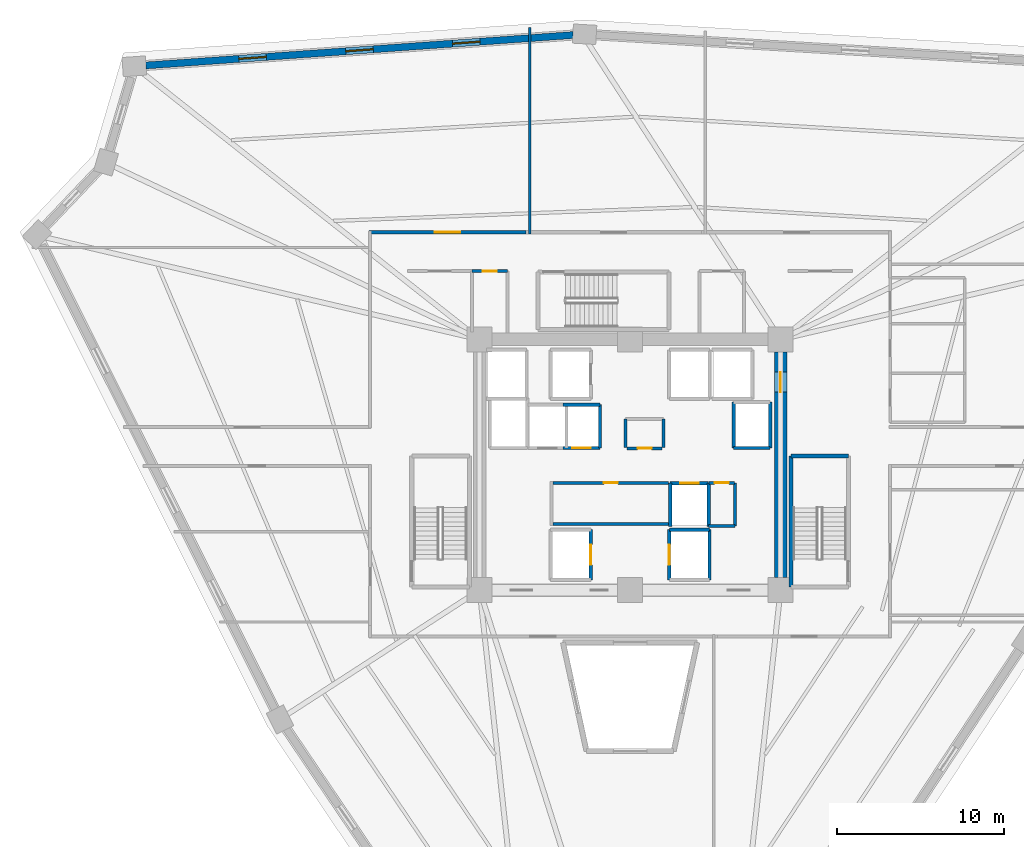
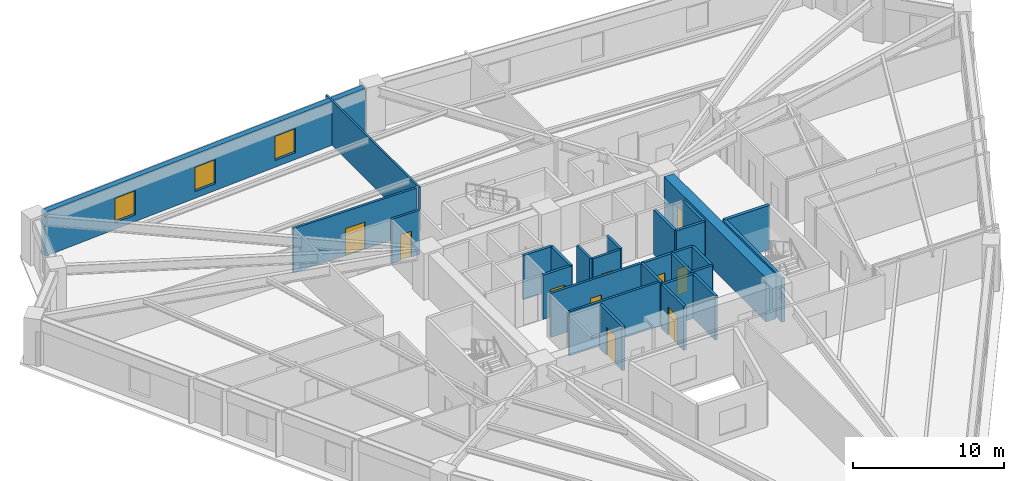
# One storey, part 5 of 8: 28 walls, 10 doors, 3 windows, 13 openings.
"""IFC4 building model written with IfcOpenShell, lengths in metres."""

import ifcopenshell
import ifcopenshell.guid

model = None  # the IFC model being written
_history = None  # IfcOwnerHistory: only IFC2X3 demands one
_inside = {}  # id of a spatial element -> (the spatial element, [elements in it])
_under = {}  # id of a project, library or spatial element -> (it, [spatial elements below it])
_declared = {}  # id of a project -> (the project, [libraries it declares])
_typed = {}  # id of a type object -> (the type object, [elements of that type])
_made_of = {}  # id of a material, layer set ... -> (it, [elements and type objects made of it])


def new_model(schema):
    """Start an empty IFC model of exactly this schema.

    Asked for "IFC4X3", IfcOpenShell would pick the latest addendum, in which some entities
    have other attributes; the version numbers below select the first issue.
    IFC2X3 requires an IfcOwnerHistory on every rooted entity: one is made here for all.
    """
    global model, _history
    if schema == "IFC4X3":
        model = ifcopenshell.file(schema_version=(4, 3, 0, 0))
    else:
        model = ifcopenshell.file(schema=schema)
    _inside.clear()
    _under.clear()
    _declared.clear()
    _typed.clear()
    _made_of.clear()
    _history = None
    if model.schema == "IFC2X3":
        org = make("IfcOrganization", Name="unknown")
        user = make(
            "IfcPersonAndOrganization",
            ThePerson=make("IfcPerson", FamilyName="unknown"),
            TheOrganization=org,
        )
        app = make(
            "IfcApplication",
            ApplicationDeveloper=org,
            Version="unknown",
            ApplicationFullName="unknown",
            ApplicationIdentifier="unknown",
        )
        _history = make(
            "IfcOwnerHistory",
            OwningUser=user,
            OwningApplication=app,
            ChangeAction="ADDED",
            CreationDate=0,
        )
    return model


def make(cls, **values):
    """One entity of the class cls with the attributes given. An attribute that is None is left unset."""
    return model.create_entity(
        cls, **{name: value for name, value in values.items() if value is not None}
    )


def rooted(cls, **values):
    """An entity with a GlobalId (a new one), such as an element, a storey or a relation."""
    return make(cls, GlobalId=ifcopenshell.guid.new(), OwnerHistory=_history, **values)


def si_unit(unit_type, name, prefix=None):
    """IfcSIUnit, for example si_unit("LENGTHUNIT", "METRE", prefix="MILLI")."""
    return make("IfcSIUnit", UnitType=unit_type, Prefix=prefix, Name=name)


def assignment(units):
    """IfcUnitAssignment: the units of a project."""
    return None if units is None else make("IfcUnitAssignment", Units=units)


def point(xyz):
    """IfcCartesianPoint."""
    return None if xyz is None else make("IfcCartesianPoint", Coordinates=xyz)


def direction(xyz):
    """IfcDirection."""
    return None if xyz is None else make("IfcDirection", DirectionRatios=xyz)


def frame(location, z_axis=None, x_axis=None):
    """IfcAxis2Placement3D, a coordinate frame: its origin and axes. An axis left out is left unset."""
    return make(
        "IfcAxis2Placement3D",
        Location=point(location),
        Axis=direction(z_axis),
        RefDirection=direction(x_axis),
    )


def frame_2d(location, x_axis=None):
    """IfcAxis2Placement2D, a coordinate frame in the plane: its origin and x axis."""
    return make(
        "IfcAxis2Placement2D", Location=point(location), RefDirection=direction(x_axis)
    )


def origin():
    """The frame at (0, 0, 0) with its axes left unset."""
    return frame((0.0, 0.0, 0.0))


def place(relative_to, where):
    """IfcLocalPlacement: puts the frame where relative to a parent placement (None: the world)."""
    return make(
        "IfcLocalPlacement", PlacementRelTo=relative_to, RelativePlacement=where
    )


def context(
    kind, dimensions, precision=None, world=None, true_north=None, identifier=None
):
    """IfcGeometricRepresentationContext, for example the 3D "Model" context."""
    return make(
        "IfcGeometricRepresentationContext",
        ContextIdentifier=identifier,
        ContextType=kind,
        CoordinateSpaceDimension=dimensions,
        Precision=precision,
        WorldCoordinateSystem=world,
        TrueNorth=true_north,
    )


def subcontext(parent, identifier, kind, view, scale=None):
    """IfcGeometricRepresentationSubContext, for example "Body" below "Model"."""
    return make(
        "IfcGeometricRepresentationSubContext",
        ContextIdentifier=identifier,
        ContextType=kind,
        ParentContext=parent,
        TargetScale=scale,
        TargetView=view,
    )


def project(units=None, contexts=None):
    """IfcProject with its units and contexts."""
    return rooted(
        "IfcProject",
        Name="project",
        RepresentationContexts=contexts,
        UnitsInContext=assignment(units),
    )


def spatial(cls, under=None, at=None, **own):
    """A site, building, storey or space (cls), placed at a placement, below another one or the project."""
    s = rooted(cls, ObjectPlacement=at, **own)
    if under is not None:
        _under.setdefault(under.id(), (under, []))[1].append(s)
    return s


def profile(cls, at=None, kind="AREA", **sizes):
    """A parametric profile (cls). Its sizes go by their IFC names, for example OverallWidth=200.0."""
    return make(cls, ProfileType=kind, Position=at, **sizes)


def rectangle(**sizes):
    """IfcRectangleProfileDef."""
    return profile("IfcRectangleProfileDef", **sizes)


def extrude(swept, where, along, depth):
    """IfcExtrudedAreaSolid: the profile swept, set in the frame where, extruded along a direction by depth."""
    return make(
        "IfcExtrudedAreaSolid",
        SweptArea=swept,
        Position=where,
        ExtrudedDirection=direction(along),
        Depth=depth,
    )


def shape(context_of_items, identifier, shape_type, items):
    """IfcShapeRepresentation: the items that make up one representation, for example the "Body"."""
    return make(
        "IfcShapeRepresentation",
        ContextOfItems=context_of_items,
        RepresentationIdentifier=identifier,
        RepresentationType=shape_type,
        Items=items,
    )


def source(mapping_origin, context_of_items, identifier, shape_type, items):
    """IfcRepresentationMap: a shape defined once, which mapped items show again and again."""
    return make(
        "IfcRepresentationMap",
        MappingOrigin=mapping_origin,
        MappedRepresentation=shape(context_of_items, identifier, shape_type, items),
    )


def transform(
    local_origin,
    x_axis=None,
    y_axis=None,
    z_axis=None,
    scale=None,
    scale2=None,
    scale3=None,
    uniform=True,
):
    """IfcCartesianTransformationOperator3D, or its non-uniform kind. x_axis, y_axis, z_axis: its Axis1, 2, 3."""
    if uniform:
        return make(
            "IfcCartesianTransformationOperator3D",
            Axis1=direction(x_axis),
            Axis2=direction(y_axis),
            LocalOrigin=point(local_origin),
            Scale=scale,
            Axis3=direction(z_axis),
        )
    return make(
        "IfcCartesianTransformationOperator3DnonUniform",
        Axis1=direction(x_axis),
        Axis2=direction(y_axis),
        LocalOrigin=point(local_origin),
        Scale=scale,
        Axis3=direction(z_axis),
        Scale2=scale2,
        Scale3=scale3,
    )


def mapped(mapping_source, mapping_target):
    """IfcMappedItem: shows the shape of a source again, moved by a transform."""
    return make(
        "IfcMappedItem", MappingSource=mapping_source, MappingTarget=mapping_target
    )


def material(Name=None, Category=None):
    """IfcMaterial."""
    return make("IfcMaterial", Name=Name, Category=Category)


def layer(
    of_material, thickness, ventilated=None, Name=None, Category=None, Priority=None
):
    """IfcMaterialLayer: one layer of a wall or slab, of a material (None: an air gap)."""
    return make(
        "IfcMaterialLayer",
        Material=of_material,
        LayerThickness=thickness,
        IsVentilated=ventilated,
        Name=Name,
        Category=Category,
        Priority=Priority,
    )


def layer_set(layers, Name=None):
    """IfcMaterialLayerSet."""
    return make("IfcMaterialLayerSet", MaterialLayers=layers, LayerSetName=Name)


def made_of(thing, what):
    """Note that an element or type object is made of a material, layer set ...; save() writes the relation."""
    if what is not None:
        _made_of.setdefault(what.id(), (what, []))[1].append(thing)
    return thing


def type_object(cls, material=None, **own):
    """A type object (cls), such as IfcWallType, which elements share."""
    return made_of(rooted(cls, **own), material)


def element(
    cls,
    number,
    at=None,
    inside=None,
    cuts=None,
    type_object=None,
    material=None,
    context=None,
    identifier="Body",
    shape_type=None,
    held_by="IfcProductDefinitionShape",
    body=None,
    shapes=None,
    **own,
):
    """One element of the class cls, such as IfcWall. Its Tag is "e" and its number.

    at: its placement. inside: the storey or other place that contains it. cuts: it is an
    opening in that element (IfcRelVoidsElement). A single representation is given by context,
    identifier, shape_type and body (its items); several are given by shapes. held_by: the class
    of the entity that holds the representations. save() writes the other relations.
    """
    e = rooted(cls, Tag="e%d" % number, ObjectPlacement=at, **own)
    if body is not None:
        shapes = [shape(context, identifier, shape_type, body)]
    if shapes is not None:
        e.Representation = make(held_by, Representations=shapes)
    if inside is not None:
        _inside.setdefault(inside.id(), (inside, []))[1].append(e)
    if cuts is not None:
        rooted(
            "IfcRelVoidsElement", RelatingBuildingElement=cuts, RelatedOpeningElement=e
        )
    if type_object is not None:
        _typed.setdefault(type_object.id(), (type_object, []))[1].append(e)
    return made_of(e, material)


def fill(opening, filler):
    """IfcRelFillsElement: the door or window that sits in an opening."""
    return rooted(
        "IfcRelFillsElement",
        RelatingOpeningElement=opening,
        RelatedBuildingElement=filler,
    )


def aggregate(whole, parts):
    """IfcRelAggregates: a whole, such as a stair, and the parts it consists of."""
    return rooted("IfcRelAggregates", RelatingObject=whole, RelatedObjects=parts)


def save(model, path):
    """Write the relations noted so far, then the file.

    IfcRelAggregates (storeys below a building ...), IfcRelContainedInSpatialStructure (elements
    in a storey), IfcRelDefinesByType, IfcRelAssociatesMaterial and IfcRelDeclares: one each for
    every whole, place, type object, material and project.
    """
    for whole, parts in _under.values():
        aggregate(whole, parts)
    for where, things in _inside.values():
        rooted(
            "IfcRelContainedInSpatialStructure",
            RelatedElements=things,
            RelatingStructure=where,
        )
    for kind, things in _typed.values():
        rooted("IfcRelDefinesByType", RelatedObjects=things, RelatingType=kind)
    for what, things in _made_of.values():
        rooted("IfcRelAssociatesMaterial", RelatedObjects=things, RelatingMaterial=what)
    for by, libraries in _declared.values():
        rooted("IfcRelDeclares", RelatingContext=by, RelatedDefinitions=libraries)
    model.write(path)


model = new_model("IFC4")

# Units and contexts
model_context = context("Model", 3, precision=1e-05, world=origin(), true_north=direction((0.0, 1.0)))
body_context = subcontext(model_context, "Body", "Model", "MODEL_VIEW")
ifc_project = project(units=[si_unit("LENGTHUNIT", "METRE"), si_unit("AREAUNIT", "SQUARE_METRE"), si_unit("VOLUMEUNIT", "CUBIC_METRE"), si_unit("PLANEANGLEUNIT", "RADIAN"), si_unit("MASSUNIT", "GRAM", prefix="KILO")], contexts=[model_context])

# Site, building, storey
site_placement = place(None, origin())
site = spatial("IfcSite", under=ifc_project, at=site_placement, CompositionType="ELEMENT")
building_placement = place(site_placement, origin())
building = spatial("IfcBuilding", under=site, at=building_placement, Name="Liaohun Quay Tower", CompositionType="ELEMENT")
storey_placement = place(building_placement, frame((0.0, 0.0, 151.5)))
storey = spatial("IfcBuildingStorey", under=building, at=storey_placement, Name="L39", CompositionType="ELEMENT", Elevation=151.5)

# Wall, opening, door
ifc_material_1 = material(Name="Concrete C60", Category="concrete")
ifc_layer_1 = layer(ifc_material_1, 0.75, Name="Concrete C60", Category="concrete")
ifc_layer_set_1 = layer_set([ifc_layer_1], Name="Concrete C60")
wall_type_1 = type_object("IfcWallType", Name="WAL-COR-Z2", PredefinedType="SHEAR", material=ifc_layer_set_1)
wall_1_placement = place(storey_placement, frame((69.0, 60.75, 0.0), z_axis=(0.0, 0.0, 1.0), x_axis=(0.0, -1.0, 0.0)))
wall_1 = element("IfcWall", 1, at=wall_1_placement, inside=storey, type_object=wall_type_1, Name="L39 Central Core Shear Wall E", PredefinedType="SHEAR", context=body_context, shape_type="SweptSolid", body=[
    extrude(rectangle(XDim=13.5, YDim=0.75, at=frame_2d((6.75, 0.0))), origin(), (0.0, 0.0, 1.0), 3.570068359375),
])
shared_shape_1 = source(origin(), body_context, "Body", "SweptSolid", [
    extrude(rectangle(XDim=1.199951171875, YDim=2.199951171875, at=frame_2d((0.60009765625, 1.10009765625))), frame((0.0, 0.385009765625, 0.0), z_axis=(0.0, -1.0, 0.0), x_axis=(1.0, 0.0, 0.0)), (0.0, 0.0, 1.0), 0.77001953125),
])
opening_1_placement = place(wall_1_placement, frame((1.199951171875, 0.0, 0.0)))
opening_1 = element("IfcOpeningElement", 2, at=opening_1_placement, cuts=wall_1, Name="Opening SD1", PredefinedType="OPENING", context=body_context, shape_type="MappedRepresentation", body=[
    mapped(shared_shape_1, transform((0.0, 0.0, 0.0), x_axis=(1.0, 0.0, 0.0), y_axis=(0.0, 1.0, 0.0), z_axis=(0.0, 0.0, 1.0), scale=1.0)),
])
ifc_material_2 = material(Name="Galvanised steel fire door", Category="steel")
door_type_1 = type_object("IfcDoorType", Name="DOR-STR-1200", OperationType="NOTDEFINED", PredefinedType="DOOR", material=ifc_material_2)
shared_shape_2 = source(origin(), body_context, "Body", "SweptSolid", [
    extrude(rectangle(XDim=1.199951171875, YDim=2.199951171875, at=frame_2d((0.60009765625, 1.10009765625))), frame((0.0, 0.02490234375, 0.0), z_axis=(0.0, -1.0, 0.0), x_axis=(1.0, 0.0, 0.0)), (0.0, 0.0, 1.0), 0.050048828125),
])
door_1_placement = place(opening_1_placement, origin())
door_1 = element("IfcDoor", 3, at=door_1_placement, inside=storey, type_object=door_type_1, Name="L39 North-East Core Lobby Smokeproof Door", OperationType="SINGLE_SWING_LEFT", OverallHeight=2.199951171875, OverallWidth=1.199951171875, PredefinedType="DOOR", context=body_context, shape_type="MappedRepresentation", body=[
    mapped(shared_shape_2, transform((0.0, 0.0, 0.0), x_axis=(1.0, 0.0, 0.0), y_axis=(0.0, 1.0, 0.0), z_axis=(0.0, 0.0, 1.0), scale=1.0)),
])
fill(opening_1, door_1)

# Wall, openings, windows
ifc_material_3 = material(Name="Precast concrete C50 insulated sandwich", Category="concrete")
ifc_layer_2 = layer(ifc_material_3, 0.419921875, Name="Precast concrete C50 insulated sandwich", Category="concrete")
ifc_layer_set_2 = layer_set([ifc_layer_2], Name="Precast concrete C50 insulated sandwich")
wall_type_2 = type_object("IfcWallType", Name="WAL-EXT-Z12", PredefinedType="SOLIDWALL", material=ifc_layer_set_2)
wall_2_placement = place(storey_placement, frame((56.590087890625, 79.705078125, 0.0), z_axis=(0.0, 0.0, 1.0), x_axis=(-0.997476660497, -0.070995153099, 0.0)))
wall_2 = element("IfcWall", 4, at=wall_2_placement, inside=storey, type_object=wall_type_2, Name="L39 Brutalist Precast Pier Wall 07", PredefinedType="SOLIDWALL", context=body_context, shape_type="SweptSolid", body=[
    extrude(rectangle(XDim=25.622802734375, YDim=0.419921875, at=frame_2d((12.8115234375, 0.0))), origin(), (0.0, 0.0, 1.0), 3.570068359375),
])
shared_shape_3 = source(origin(), body_context, "Body", "SweptSolid", [
    extrude(rectangle(XDim=1.64990234375, YDim=1.949951171875, at=frame_2d((0.824951171875, 0.97509765625))), frame((0.0, 0.219970703125, 0.0), z_axis=(0.0, -1.0, 0.0), x_axis=(1.0, 0.0, 0.0)), (0.0, 0.0, 1.0), 0.43994140625),
])
opening_2_placement = place(wall_2_placement, frame((5.5810546875, 0.0, 0.550048828125)))
opening_2 = element("IfcOpeningElement", 5, at=opening_2_placement, cuts=wall_2, Name="Opening W02", PredefinedType="OPENING", context=body_context, shape_type="MappedRepresentation", body=[
    mapped(shared_shape_3, transform((0.0, 0.0, 0.0), x_axis=(1.0, 0.0, 0.0), y_axis=(0.0, 1.0, 0.0), z_axis=(0.0, 0.0, 1.0), scale=1.0)),
])
opening_3_placement = place(wall_2_placement, frame((11.986083984375, 0.0, 0.550048828125)))
opening_3 = element("IfcOpeningElement", 6, at=opening_3_placement, cuts=wall_2, Name="Opening W02", PredefinedType="OPENING", context=body_context, shape_type="MappedRepresentation", body=[
    mapped(shared_shape_3, transform((0.0, 0.0, 0.0), x_axis=(1.0, 0.0, 0.0), y_axis=(0.0, 1.0, 0.0), z_axis=(0.0, 0.0, 1.0), scale=1.0)),
])
opening_4_placement = place(wall_2_placement, frame((18.39208984375, 0.0, 0.550048828125)))
opening_4 = element("IfcOpeningElement", 7, at=opening_4_placement, cuts=wall_2, Name="Opening W02", PredefinedType="OPENING", context=body_context, shape_type="MappedRepresentation", body=[
    mapped(shared_shape_3, transform((0.0, 0.0, 0.0), x_axis=(1.0, 0.0, 0.0), y_axis=(0.0, 1.0, 0.0), z_axis=(0.0, 0.0, 1.0), scale=1.0)),
])
ifc_material_4 = material(Name="Triple Low-E argon glazing in thermally broken aluminium", Category="aluminium")
window_type = type_object("IfcWindowType", Name="WIN-PUN-Z2", PartitioningType="DOUBLE_PANEL_VERTICAL", PredefinedType="WINDOW", material=ifc_material_4)
shared_shape_4 = source(origin(), body_context, "Body", "SweptSolid", [
    extrude(rectangle(XDim=1.64990234375, YDim=1.949951171875, at=frame_2d((0.824951171875, 0.97509765625))), frame((0.0, 0.030029296875, 0.0), z_axis=(0.0, -1.0, 0.0), x_axis=(1.0, 0.0, 0.0)), (0.0, 0.0, 1.0), 0.06005859375),
])
window_1_placement = place(opening_2_placement, origin())
window_1 = element("IfcWindow", 8, at=window_1_placement, inside=storey, type_object=window_type, Name="L39 Recessed Cold-Climate Punched Window 07-1", OverallHeight=1.949951171875, OverallWidth=1.64990234375, PartitioningType="DOUBLE_PANEL_VERTICAL", PredefinedType="WINDOW", context=body_context, shape_type="MappedRepresentation", body=[
    mapped(shared_shape_4, transform((0.0, 0.0, 0.0), x_axis=(1.0, 0.0, 0.0), y_axis=(0.0, 1.0, 0.0), z_axis=(0.0, 0.0, 1.0), scale=1.0)),
])
fill(opening_2, window_1)
window_2_placement = place(opening_3_placement, origin())
window_2 = element("IfcWindow", 9, at=window_2_placement, inside=storey, type_object=window_type, Name="L39 Recessed Cold-Climate Punched Window 07-2", OverallHeight=1.949951171875, OverallWidth=1.64990234375, PartitioningType="DOUBLE_PANEL_VERTICAL", PredefinedType="WINDOW", context=body_context, shape_type="MappedRepresentation", body=[
    mapped(shared_shape_4, transform((0.0, 0.0, 0.0), x_axis=(1.0, 0.0, 0.0), y_axis=(0.0, 1.0, 0.0), z_axis=(0.0, 0.0, 1.0), scale=1.0)),
])
fill(opening_3, window_2)
window_3_placement = place(opening_4_placement, origin())
window_3 = element("IfcWindow", 10, at=window_3_placement, inside=storey, type_object=window_type, Name="L39 Recessed Cold-Climate Punched Window 07-3", OverallHeight=1.949951171875, OverallWidth=1.64990234375, PartitioningType="DOUBLE_PANEL_VERTICAL", PredefinedType="WINDOW", context=body_context, shape_type="MappedRepresentation", body=[
    mapped(shared_shape_4, transform((0.0, 0.0, 0.0), x_axis=(1.0, 0.0, 0.0), y_axis=(0.0, 1.0, 0.0), z_axis=(0.0, 0.0, 1.0), scale=1.0)),
])
fill(opening_4, window_3)

# Wall, opening, door
ifc_material_5 = material(Name="Autoclaved aerated concrete blockwork", Category="masonry")
ifc_layer_3 = layer(ifc_material_5, 0.179931640625, Name="Autoclaved aerated concrete blockwork", Category="masonry")
ifc_layer_set_3 = layer_set([ifc_layer_3], Name="Autoclaved aerated concrete blockwork")
wall_type_3 = type_object("IfcWallType", Name="WAL-PRT-COR", PredefinedType="PARTITIONING", material=ifc_layer_set_3)
wall_3_placement = place(storey_placement, frame((55.389892578125, 52.919921875, 0.0), z_axis=(0.0, 0.0, 1.0), x_axis=(1.0, 0.0, 0.0)))
wall_3 = element("IfcWall", 11, at=wall_3_placement, inside=storey, type_object=wall_type_3, Name="L39 Interior Partition Wall 001", PredefinedType="PARTITIONING", context=body_context, shape_type="SweptSolid", body=[
    extrude(rectangle(XDim=6.91015625, YDim=0.179931640625, at=frame_2d((3.455078125, 0.0))), origin(), (0.0, 0.0, 1.0), 3.570068359375),
])
shared_shape_5 = source(origin(), body_context, "Body", "SweptSolid", [
    extrude(rectangle(XDim=0.85009765625, YDim=2.10009765625, at=frame_2d((0.425048828125, 1.050048828125))), frame((0.0, 0.099853515625, 0.0), z_axis=(0.0, -1.0, 0.0), x_axis=(1.0, 0.0, 0.0)), (0.0, 0.0, 1.0), 0.199951171875),
])
opening_5_placement = place(wall_3_placement, frame((3.034912109375, 0.0, 0.0)))
opening_5 = element("IfcOpeningElement", 12, at=opening_5_placement, cuts=wall_3, Name="Opening AD1", PredefinedType="OPENING", context=body_context, shape_type="MappedRepresentation", body=[
    mapped(shared_shape_5, transform((0.0, 0.0, 0.0), x_axis=(1.0, 0.0, 0.0), y_axis=(0.0, 1.0, 0.0), z_axis=(0.0, 0.0, 1.0), scale=1.0)),
])
ifc_material_6 = material(Name="Steel riser inspection fire door", Category="steel")
door_type_2 = type_object("IfcDoorType", Name="DOR-SHF-850", OperationType="NOTDEFINED", PredefinedType="DOOR", material=ifc_material_6)
shared_shape_6 = source(origin(), body_context, "Body", "SweptSolid", [
    extrude(rectangle(XDim=0.85009765625, YDim=2.10009765625, at=frame_2d((0.425048828125, 1.050048828125))), frame((0.0, 0.02490234375, 0.0), z_axis=(0.0, -1.0, 0.0), x_axis=(1.0, 0.0, 0.0)), (0.0, 0.0, 1.0), 0.050048828125),
])
door_2_placement = place(opening_5_placement, origin())
door_2 = element("IfcDoor", 13, at=door_2_placement, inside=storey, type_object=door_type_2, Name="L39 Core Tenant Storage and Archive Room Door", OperationType="SINGLE_SWING_RIGHT", OverallHeight=2.10009765625, OverallWidth=0.85009765625, PredefinedType="DOOR", context=body_context, shape_type="MappedRepresentation", body=[
    mapped(shared_shape_6, transform((0.0, 0.0, 0.0), x_axis=(1.0, 0.0, 0.0), y_axis=(0.0, 1.0, 0.0), z_axis=(0.0, 0.0, 1.0), scale=1.0)),
])
fill(opening_5, door_2)

wall_4_placement = place(storey_placement, frame((59.81005859375, 54.97998046875, 0.0), z_axis=(0.0, 0.0, 1.0), x_axis=(1.0, 0.0, 0.0)))
wall_4 = element("IfcWall", 14, at=wall_4_placement, inside=storey, type_object=wall_type_3, Name="L39 Interior Partition Wall 002", PredefinedType="PARTITIONING", context=body_context, shape_type="SweptSolid", body=[
    extrude(rectangle(XDim=2.10986328125, YDim=0.179931640625, at=frame_2d((1.054931640625, 0.0))), origin(), (0.0, 0.0, 1.0), 3.570068359375),
])
opening_6_placement = place(wall_4_placement, frame((0.635009765625, 0.0, 0.0)))
opening_6 = element("IfcOpeningElement", 15, at=opening_6_placement, cuts=wall_4, Name="Opening AD1", PredefinedType="OPENING", context=body_context, shape_type="MappedRepresentation", body=[
    mapped(shared_shape_5, transform((0.0, 0.0, 0.0), x_axis=(1.0, 0.0, 0.0), y_axis=(0.0, 1.0, 0.0), z_axis=(0.0, 0.0, 1.0), scale=1.0)),
])
door_3_placement = place(opening_6_placement, origin())
door_3 = element("IfcDoor", 16, at=door_3_placement, inside=storey, type_object=door_type_2, Name="L39 Electrical Meter Room Door", OperationType="SINGLE_SWING_LEFT", OverallHeight=2.10009765625, OverallWidth=0.85009765625, PredefinedType="DOOR", context=body_context, shape_type="MappedRepresentation", body=[
    mapped(shared_shape_6, transform((0.0, 0.0, 0.0), x_axis=(1.0, 0.0, 0.0), y_axis=(0.0, 1.0, 0.0), z_axis=(0.0, 0.0, 1.0), scale=1.0)),
])
fill(opening_6, door_3)

wall_5_placement = place(storey_placement, frame((64.719970703125, 52.919921875, 0.0), z_axis=(0.0, 0.0, 1.0), x_axis=(1.0, 0.0, 0.0)))
wall_5 = element("IfcWall", 17, at=wall_5_placement, inside=storey, type_object=wall_type_3, Name="L39 Interior Partition Wall 003", PredefinedType="PARTITIONING", context=body_context, shape_type="SweptSolid", body=[
    extrude(rectangle(XDim=1.530029296875, YDim=0.179931640625, at=frame_2d((0.76513671875, 0.0))), origin(), (0.0, 0.0, 1.0), 3.570068359375),
])
opening_7_placement = place(wall_5_placement, frame((0.340087890625, 0.0, 0.0)))
opening_7 = element("IfcOpeningElement", 18, at=opening_7_placement, cuts=wall_5, Name="Opening AD1", PredefinedType="OPENING", context=body_context, shape_type="MappedRepresentation", body=[
    mapped(shared_shape_5, transform((0.0, 0.0, 0.0), x_axis=(1.0, 0.0, 0.0), y_axis=(0.0, 1.0, 0.0), z_axis=(0.0, 0.0, 1.0), scale=1.0)),
])
door_4_placement = place(opening_7_placement, origin())
door_4 = element("IfcDoor", 19, at=door_4_placement, inside=storey, type_object=door_type_2, Name="L39 BMS Data Riser Room Door", OperationType="SINGLE_SWING_RIGHT", OverallHeight=2.10009765625, OverallWidth=0.85009765625, PredefinedType="DOOR", context=body_context, shape_type="MappedRepresentation", body=[
    mapped(shared_shape_6, transform((0.0, 0.0, 0.0), x_axis=(1.0, 0.0, 0.0), y_axis=(0.0, 1.0, 0.0), z_axis=(0.0, 0.0, 1.0), scale=1.0)),
])
fill(opening_7, door_4)

wall_6_placement = place(storey_placement, frame((50.5400390625, 65.580078125, 0.0), z_axis=(0.0, 0.0, 1.0), x_axis=(1.0, 0.0, 0.0)))
wall_6 = element("IfcWall", 20, at=wall_6_placement, inside=storey, type_object=wall_type_3, Name="L39 Interior Partition Wall 007", PredefinedType="PARTITIONING", context=body_context, shape_type="SweptSolid", body=[
    extrude(rectangle(XDim=2.139892578125, YDim=0.179931640625, at=frame_2d((1.06982421875, 0.0))), origin(), (0.0, 0.0, 1.0), 3.570068359375),
])
opening_8_placement = place(wall_6_placement, frame((0.64501953125, 0.0, 0.0)))
opening_8 = element("IfcOpeningElement", 21, at=opening_8_placement, cuts=wall_6, Name="Opening AD1", PredefinedType="OPENING", context=body_context, shape_type="MappedRepresentation", body=[
    mapped(shared_shape_5, transform((0.0, 0.0, 0.0), x_axis=(1.0, 0.0, 0.0), y_axis=(0.0, 1.0, 0.0), z_axis=(0.0, 0.0, 1.0), scale=1.0)),
])
door_5_placement = place(opening_8_placement, origin())
door_5 = element("IfcDoor", 22, at=door_5_placement, inside=storey, type_object=door_type_2, Name="L39 North-West Supply Store Door", OperationType="SINGLE_SWING_RIGHT", OverallHeight=2.10009765625, OverallWidth=0.85009765625, PredefinedType="DOOR", context=body_context, shape_type="MappedRepresentation", body=[
    mapped(shared_shape_6, transform((0.0, 0.0, 0.0), x_axis=(1.0, 0.0, 0.0), y_axis=(0.0, 1.0, 0.0), z_axis=(0.0, 0.0, 1.0), scale=1.0)),
])
fill(opening_8, door_5)

wall_7_placement = place(storey_placement, frame((44.3701171875, 67.909912109375, 0.0), z_axis=(0.0, 0.0, 1.0), x_axis=(1.0, 0.0, 0.0)))
wall_7 = element("IfcWall", 23, at=wall_7_placement, inside=storey, type_object=wall_type_3, Name="L39 Interior Partition Wall 014", PredefinedType="PARTITIONING", context=body_context, shape_type="SweptSolid", body=[
    extrude(rectangle(XDim=9.414794921875, YDim=0.179931640625, at=frame_2d((4.70751953125, 0.0))), origin(), (0.0, 0.0, 1.0), 3.570068359375),
])
shared_shape_7 = source(origin(), body_context, "Body", "SweptSolid", [
    extrude(rectangle(XDim=1.5, YDim=2.199951171875, at=frame_2d((0.75, 1.10009765625))), frame((0.0, 0.099853515625, 0.0), z_axis=(0.0, -1.0, 0.0), x_axis=(1.0, 0.0, 0.0)), (0.0, 0.0, 1.0), 0.199951171875),
])
opening_9_placement = place(wall_7_placement, frame((3.95703125, 0.0, 0.0)))
opening_9 = element("IfcOpeningElement", 24, at=opening_9_placement, cuts=wall_7, Name="Opening OD2", PredefinedType="OPENING", context=body_context, shape_type="MappedRepresentation", body=[
    mapped(shared_shape_7, transform((0.0, 0.0, 0.0), x_axis=(1.0, 0.0, 0.0), y_axis=(0.0, 1.0, 0.0), z_axis=(0.0, 0.0, 1.0), scale=1.0)),
])
ifc_material_7 = material(Name="Acoustic oak veneer double door")
door_type_3 = type_object("IfcDoorType", Name="DOR-OFF-1500", OperationType="DOUBLE_DOOR_SINGLE_SWING", PredefinedType="DOOR", material=ifc_material_7)
shared_shape_8 = source(origin(), body_context, "Body", "SweptSolid", [
    extrude(rectangle(XDim=1.5, YDim=2.199951171875, at=frame_2d((0.75, 1.10009765625))), frame((0.0, 0.02490234375, 0.0), z_axis=(0.0, -1.0, 0.0), x_axis=(1.0, 0.0, 0.0)), (0.0, 0.0, 1.0), 0.050048828125),
])
door_6_placement = place(opening_9_placement, origin())
door_6 = element("IfcDoor", 25, at=door_6_placement, inside=storey, type_object=door_type_3, Name="L39 Project Collaboration Studio 04 Door", OperationType="DOUBLE_DOOR_SINGLE_SWING", OverallHeight=2.199951171875, OverallWidth=1.5, PredefinedType="DOOR", context=body_context, shape_type="MappedRepresentation", body=[
    mapped(shared_shape_8, transform((0.0, 0.0, 0.0), x_axis=(1.0, 0.0, 0.0), y_axis=(0.0, 1.0, 0.0), z_axis=(0.0, 0.0, 1.0), scale=1.0)),
])
fill(opening_9, door_6)

# Walls
for number, where, z_axis, x_axis, name in (
    (26, (59.719970703125, 55.02001953125, 0.0), (0.0, 0.0, 1.0), (0.0, 1.0, 0.0), "L39 Interior Partition Wall 022"),
    (27, (62.010009765625, 55.02001953125, 0.0), (0.0, 0.0, 1.0), (0.0, 1.0, 0.0), "L39 Interior Partition Wall 023"),
):
    element("IfcWall", number, at=place(storey_placement, frame(where, z_axis=z_axis, x_axis=x_axis)), inside=storey, type_object=wall_type_3, Name=name, PredefinedType="PARTITIONING", context=body_context, shape_type="SweptSolid", body=[
        extrude(rectangle(XDim=1.72998046875, YDim=0.179931640625, at=frame_2d((0.864990234375, 0.0))), origin(), (0.0, 0.0, 1.0), 3.570068359375),
    ])
wall_8_placement = place(storey_placement, frame((64.68994140625, 50.35009765625, 0.0), z_axis=(0.0, 0.0, 1.0), x_axis=(1.0, 0.0, 0.0)))
element("IfcWall", 28, at=wall_8_placement, inside=storey, type_object=wall_type_3, Name="L39 Interior Partition Wall 025", PredefinedType="PARTITIONING", context=body_context, shape_type="SweptSolid", body=[
    extrude(rectangle(XDim=1.590087890625, YDim=0.179931640625, at=frame_2d((0.794921875, 0.0))), origin(), (0.0, 0.0, 1.0), 3.570068359375),
])
wall_9_placement = place(storey_placement, frame((66.280029296875, 50.35009765625, 0.0), z_axis=(0.0, 0.0, 1.0), x_axis=(0.0, 1.0, 0.0)))
element("IfcWall", 29, at=wall_9_placement, inside=storey, type_object=wall_type_3, Name="L39 Interior Partition Wall 026", PredefinedType="PARTITIONING", context=body_context, shape_type="SweptSolid", body=[
    extrude(rectangle(XDim=2.56982421875, YDim=0.179931640625, at=frame_2d((1.284912109375, 0.0))), origin(), (0.0, 0.0, 1.0), 3.570068359375),
])
wall_10_placement = place(storey_placement, frame((55.389892578125, 50.449951171875, 0.0), z_axis=(0.0, 0.0, 1.0), x_axis=(1.0, 0.0, 0.0)))
element("IfcWall", 30, at=wall_10_placement, inside=storey, type_object=wall_type_3, Name="L39 Interior Partition Wall 055", PredefinedType="PARTITIONING", context=body_context, shape_type="SweptSolid", body=[
    extrude(rectangle(XDim=6.91015625, YDim=0.179931640625, at=frame_2d((3.455078125, 0.0))), origin(), (0.0, 0.0, 1.0), 3.570068359375),
])
ifc_material_8 = material(Name="Gypsum board on twin steel studs", Category="steel")
ifc_layer_4 = layer(ifc_material_8, 0.139892578125, Name="Gypsum board on twin steel studs", Category="steel")
ifc_layer_set_4 = layer_set([ifc_layer_4], Name="Gypsum board on twin steel studs")
wall_type_4 = type_object("IfcWallType", Name="WAL-PRT-OFF", PredefinedType="PARTITIONING", material=ifc_layer_set_4)
wall_11_placement = place(storey_placement, frame((54.0, 67.81005859375, 0.0), z_axis=(0.0, 0.0, 1.0), x_axis=(0.0, 1.0, 0.0)))
element("IfcWall", 31, at=wall_11_placement, inside=storey, type_object=wall_type_4, Name="L39 Interior Partition Wall 051", PredefinedType="PARTITIONING", context=body_context, shape_type="SweptSolid", body=[
    extrude(rectangle(XDim=12.342041015625, YDim=0.139892578125, at=frame_2d((6.1708984375, 0.0))), origin(), (0.0, 0.0, 1.0), 3.570068359375),
])
ifc_material_9 = material(Name="Concrete C50", Category="concrete")
ifc_layer_5 = layer(ifc_material_9, 0.239990234375, Name="Concrete C50", Category="concrete")
ifc_layer_set_5 = layer_set([ifc_layer_5], Name="Concrete C50")
wall_type_5 = type_object("IfcWallType", Name="WAL-SHF-200", PredefinedType="SOLIDWALL", material=ifc_layer_set_5)
wall_12_placement = place(storey_placement, frame((73.06005859375, 54.52001953125, 0.0), z_axis=(0.0, 0.0, 1.0), x_axis=(-1.0, 0.0, 0.0)))
element("IfcWall", 32, at=wall_12_placement, inside=storey, type_object=wall_type_5, Name="L39 Stairwell ST-2 Structural Core Wall N", PredefinedType="SOLIDWALL", context=body_context, shape_type="SweptSolid", body=[
    extrude(rectangle(XDim=3.43994140625, YDim=0.239990234375, at=frame_2d((1.719970703125, 0.0))), origin(), (0.0, 0.0, 1.0), 3.570068359375),
])
wall_13_placement = place(storey_placement, frame((69.6201171875, 54.52001953125, 0.0), z_axis=(0.0, 0.0, 1.0), x_axis=(0.0, -1.0, 0.0)))
element("IfcWall", 33, at=wall_13_placement, inside=storey, type_object=wall_type_5, Name="L39 Stairwell ST-2 Structural Core Wall W", PredefinedType="SOLIDWALL", context=body_context, shape_type="SweptSolid", body=[
    extrude(rectangle(XDim=7.820068359375, YDim=0.239990234375, at=frame_2d((3.91015625, 0.0))), origin(), (0.0, 0.0, 1.0), 3.570068359375),
])

# Wall, opening, door
wall_14_placement = place(storey_placement, frame((57.64990234375, 47.1201171875, 0.0), z_axis=(0.0, 0.0, 1.0), x_axis=(0.0, 1.0, 0.0)))
wall_14 = element("IfcWall", 34, at=wall_14_placement, inside=storey, type_object=wall_type_5, Name="L39 Lift FF-01 Hoistway Wall E", PredefinedType="SOLIDWALL", context=body_context, shape_type="SweptSolid", body=[
    extrude(rectangle(XDim=3.0, YDim=0.199951171875, at=frame_2d((1.5, 0.0))), origin(), (0.0, 0.0, 1.0), 3.570068359375),
])
shared_shape_9 = source(origin(), body_context, "Body", "SweptSolid", [
    extrude(rectangle(XDim=1.199951171875, YDim=2.300048828125, at=frame_2d((0.60009765625, 1.14990234375))), frame((0.0, 0.10986328125, 0.0), z_axis=(0.0, -1.0, 0.0), x_axis=(1.0, 0.0, 0.0)), (0.0, 0.0, 1.0), 0.219970703125),
])
opening_10_placement = place(wall_14_placement, frame((0.89990234375, 0.0, 0.0)))
opening_10 = element("IfcOpeningElement", 35, at=opening_10_placement, cuts=wall_14, Name="Opening LD2", PredefinedType="OPENING", context=body_context, shape_type="MappedRepresentation", body=[
    mapped(shared_shape_9, transform((0.0, 0.0, 0.0), x_axis=(1.0, 0.0, 0.0), y_axis=(0.0, 1.0, 0.0), z_axis=(0.0, 0.0, 1.0), scale=1.0)),
])
ifc_material_10 = material(Name="Brushed stainless steel stretcher landing door", Category="steel")
door_type_4 = type_object("IfcDoorType", Name="DOR-LFT-1200", OperationType="SLIDING_TO_LEFT", PredefinedType="DOOR", material=ifc_material_10)
shared_shape_10 = source(origin(), body_context, "Body", "SweptSolid", [
    extrude(rectangle(XDim=1.199951171875, YDim=2.300048828125, at=frame_2d((0.60009765625, 1.14990234375))), frame((0.0, 0.02490234375, 0.0), z_axis=(0.0, -1.0, 0.0), x_axis=(1.0, 0.0, 0.0)), (0.0, 0.0, 1.0), 0.050048828125),
])
door_7_placement = place(opening_10_placement, origin())
door_7 = element("IfcDoor", 36, at=door_7_placement, inside=storey, type_object=door_type_4, Name="L39 Lift FF-01 Sliding Landing Door", OperationType="SLIDING_TO_LEFT", OverallHeight=2.300048828125, OverallWidth=1.199951171875, PredefinedType="DOOR", context=body_context, shape_type="MappedRepresentation", body=[
    mapped(shared_shape_10, transform((0.0, 0.0, 0.0), x_axis=(1.0, 0.0, 0.0), y_axis=(0.0, 1.0, 0.0), z_axis=(0.0, 0.0, 1.0), scale=1.0)),
])
fill(opening_10, door_7)

# Walls
wall_15_placement = place(storey_placement, frame((64.75, 47.1201171875, 0.0), z_axis=(0.0, 0.0, 1.0), x_axis=(0.0, 1.0, 0.0)))
element("IfcWall", 37, at=wall_15_placement, inside=storey, type_object=wall_type_5, Name="L39 Lift FF-02 Hoistway Wall E", PredefinedType="SOLIDWALL", context=body_context, shape_type="SweptSolid", body=[
    extrude(rectangle(XDim=3.0, YDim=0.199951171875, at=frame_2d((1.5, 0.0))), origin(), (0.0, 0.0, 1.0), 3.570068359375),
])
wall_16_placement = place(storey_placement, frame((64.75, 50.1201171875, 0.0), z_axis=(0.0, 0.0, 1.0), x_axis=(-1.0, 0.0, 0.0)))
element("IfcWall", 38, at=wall_16_placement, inside=storey, type_object=wall_type_5, Name="L39 Lift FF-02 Hoistway Wall N", PredefinedType="SOLIDWALL", context=body_context, shape_type="SweptSolid", body=[
    extrude(rectangle(XDim=2.39990234375, YDim=0.199951171875, at=frame_2d((1.199951171875, 0.0))), origin(), (0.0, 0.0, 1.0), 3.570068359375),
])

# Wall, opening, door
wall_17_placement = place(storey_placement, frame((62.35009765625, 50.1201171875, 0.0), z_axis=(0.0, 0.0, 1.0), x_axis=(0.0, -1.0, 0.0)))
wall_17 = element("IfcWall", 39, at=wall_17_placement, inside=storey, type_object=wall_type_5, Name="L39 Lift FF-02 Hoistway Wall W", PredefinedType="SOLIDWALL", context=body_context, shape_type="SweptSolid", body=[
    extrude(rectangle(XDim=3.0, YDim=0.199951171875, at=frame_2d((1.5, 0.0))), origin(), (0.0, 0.0, 1.0), 3.570068359375),
])
opening_11_placement = place(wall_17_placement, frame((0.89990234375, 0.0, 0.0)))
opening_11 = element("IfcOpeningElement", 40, at=opening_11_placement, cuts=wall_17, Name="Opening LD2", PredefinedType="OPENING", context=body_context, shape_type="MappedRepresentation", body=[
    mapped(shared_shape_9, transform((0.0, 0.0, 0.0), x_axis=(1.0, 0.0, 0.0), y_axis=(0.0, 1.0, 0.0), z_axis=(0.0, 0.0, 1.0), scale=1.0)),
])
door_8_placement = place(opening_11_placement, origin())
door_8 = element("IfcDoor", 41, at=door_8_placement, inside=storey, type_object=door_type_4, Name="L39 Lift FF-02 Sliding Landing Door", OperationType="SLIDING_TO_LEFT", OverallHeight=2.300048828125, OverallWidth=1.199951171875, PredefinedType="DOOR", context=body_context, shape_type="MappedRepresentation", body=[
    mapped(shared_shape_10, transform((0.0, 0.0, 0.0), x_axis=(1.0, 0.0, 0.0), y_axis=(0.0, 1.0, 0.0), z_axis=(0.0, 0.0, 1.0), scale=1.0)),
])
fill(opening_11, door_8)

# Walls
wall_18_placement = place(storey_placement, frame((66.199951171875, 55.0, 0.0), z_axis=(0.0, 0.0, 1.0), x_axis=(1.0, 0.0, 0.0)))
element("IfcWall", 42, at=wall_18_placement, inside=storey, type_object=wall_type_5, Name="L39 Lift SH-03 Hoistway Wall S", PredefinedType="SOLIDWALL", context=body_context, shape_type="SweptSolid", body=[
    extrude(rectangle(XDim=2.179931640625, YDim=0.199951171875, at=frame_2d((1.08984375, 0.0))), origin(), (0.0, 0.0, 1.0), 3.570068359375),
])
for number, where, z_axis, x_axis, name in (
    (43, (68.3798828125, 55.0, 0.0), (0.0, 0.0, 1.0), (0.0, 1.0, 0.0), "L39 Lift SH-03 Hoistway Wall E"),
    (44, (66.199951171875, 57.75, 0.0), (0.0, 0.0, 1.0), (0.0, -1.0, 0.0), "L39 Lift SH-03 Hoistway Wall W"),
):
    element("IfcWall", number, at=place(storey_placement, frame(where, z_axis=z_axis, x_axis=x_axis)), inside=storey, type_object=wall_type_5, Name=name, PredefinedType="SOLIDWALL", context=body_context, shape_type="SweptSolid", body=[
        extrude(rectangle(XDim=2.75, YDim=0.199951171875, at=frame_2d((1.375, 0.0))), origin(), (0.0, 0.0, 1.0), 3.570068359375),
    ])
wall_19_placement = place(storey_placement, frame((64.699951171875, 50.300048828125, 0.0), z_axis=(0.0, 0.0, 1.0), x_axis=(0.0, 1.0, 0.0)))
element("IfcWall", 45, at=wall_19_placement, inside=storey, type_object=wall_type_5, Name="L39 Lift PL-2A Hoistway Wall E", PredefinedType="SOLIDWALL", context=body_context, shape_type="SweptSolid", body=[
    extrude(rectangle(XDim=2.599853515625, YDim=0.199951171875, at=frame_2d((1.2998046875, 0.0))), origin(), (0.0, 0.0, 1.0), 3.570068359375),
])

# Wall, opening, door
wall_20_placement = place(storey_placement, frame((64.699951171875, 52.89990234375, 0.0), z_axis=(0.0, 0.0, 1.0), x_axis=(-1.0, 0.0, 0.0)))
wall_20 = element("IfcWall", 46, at=wall_20_placement, inside=storey, type_object=wall_type_5, Name="L39 Lift PL-2A Hoistway Wall N", PredefinedType="SOLIDWALL", context=body_context, shape_type="SweptSolid", body=[
    extrude(rectangle(XDim=2.300048828125, YDim=0.199951171875, at=frame_2d((1.14990234375, 0.0))), origin(), (0.0, 0.0, 1.0), 3.570068359375),
])
shared_shape_11 = source(origin(), body_context, "Body", "SweptSolid", [
    extrude(rectangle(XDim=1.10009765625, YDim=2.199951171875, at=frame_2d((0.550048828125, 1.10009765625))), frame((0.0, 0.10986328125, 0.0), z_axis=(0.0, -1.0, 0.0), x_axis=(1.0, 0.0, 0.0)), (0.0, 0.0, 1.0), 0.219970703125),
])
opening_12_placement = place(wall_20_placement, frame((0.60009765625, 0.0, 0.0)))
opening_12 = element("IfcOpeningElement", 47, at=opening_12_placement, cuts=wall_20, Name="Opening LD1", PredefinedType="OPENING", context=body_context, shape_type="MappedRepresentation", body=[
    mapped(shared_shape_11, transform((0.0, 0.0, 0.0), x_axis=(1.0, 0.0, 0.0), y_axis=(0.0, 1.0, 0.0), z_axis=(0.0, 0.0, 1.0), scale=1.0)),
])
ifc_material_11 = material(Name="Brushed stainless steel landing door", Category="steel")
door_type_5 = type_object("IfcDoorType", Name="DOR-LFT-1100", OperationType="SLIDING_TO_LEFT", PredefinedType="DOOR", material=ifc_material_11)
shared_shape_12 = source(origin(), body_context, "Body", "SweptSolid", [
    extrude(rectangle(XDim=1.10009765625, YDim=2.199951171875, at=frame_2d((0.550048828125, 1.10009765625))), frame((0.0, 0.02490234375, 0.0), z_axis=(0.0, -1.0, 0.0), x_axis=(1.0, 0.0, 0.0)), (0.0, 0.0, 1.0), 0.050048828125),
])
door_9_placement = place(opening_12_placement, origin())
door_9 = element("IfcDoor", 48, at=door_9_placement, inside=storey, type_object=door_type_5, Name="L39 Lift PL-2A Sliding Landing Door", OperationType="SLIDING_TO_LEFT", OverallHeight=2.199951171875, OverallWidth=1.10009765625, PredefinedType="DOOR", context=body_context, shape_type="MappedRepresentation", body=[
    mapped(shared_shape_12, transform((0.0, 0.0, 0.0), x_axis=(1.0, 0.0, 0.0), y_axis=(0.0, 1.0, 0.0), z_axis=(0.0, 0.0, 1.0), scale=1.0)),
])
fill(opening_12, door_9)

# Wall
wall_21_placement = place(storey_placement, frame((62.39990234375, 52.89990234375, 0.0), z_axis=(0.0, 0.0, 1.0), x_axis=(0.0, -1.0, 0.0)))
element("IfcWall", 49, at=wall_21_placement, inside=storey, type_object=wall_type_5, Name="L39 Lift PL-2A Hoistway Wall W", PredefinedType="SOLIDWALL", context=body_context, shape_type="SweptSolid", body=[
    extrude(rectangle(XDim=2.599853515625, YDim=0.199951171875, at=frame_2d((1.2998046875, 0.0))), origin(), (0.0, 0.0, 1.0), 3.570068359375),
])

# Wall, opening, door
wall_22_placement = place(storey_placement, frame((56.0, 55.0, 0.0), z_axis=(0.0, 0.0, 1.0), x_axis=(1.0, 0.0, 0.0)))
wall_22 = element("IfcWall", 50, at=wall_22_placement, inside=storey, type_object=wall_type_5, Name="L39 Lift PL-2C Hoistway Wall S", PredefinedType="SOLIDWALL", context=body_context, shape_type="SweptSolid", body=[
    extrude(rectangle(XDim=2.199951171875, YDim=0.199951171875, at=frame_2d((1.10009765625, 0.0))), origin(), (0.0, 0.0, 1.0), 3.570068359375),
])
opening_13_placement = place(wall_22_placement, frame((0.550048828125, 0.0, 0.0)))
opening_13 = element("IfcOpeningElement", 51, at=opening_13_placement, cuts=wall_22, Name="Opening LD1", PredefinedType="OPENING", context=body_context, shape_type="MappedRepresentation", body=[
    mapped(shared_shape_11, transform((0.0, 0.0, 0.0), x_axis=(1.0, 0.0, 0.0), y_axis=(0.0, 1.0, 0.0), z_axis=(0.0, 0.0, 1.0), scale=1.0)),
])
door_10_placement = place(opening_13_placement, origin())
door_10 = element("IfcDoor", 52, at=door_10_placement, inside=storey, type_object=door_type_5, Name="L39 Lift PL-2C Sliding Landing Door", OperationType="SLIDING_TO_LEFT", OverallHeight=2.199951171875, OverallWidth=1.10009765625, PredefinedType="DOOR", context=body_context, shape_type="MappedRepresentation", body=[
    mapped(shared_shape_12, transform((0.0, 0.0, 0.0), x_axis=(1.0, 0.0, 0.0), y_axis=(0.0, 1.0, 0.0), z_axis=(0.0, 0.0, 1.0), scale=1.0)),
])
fill(opening_13, door_10)

# Walls
wall_23_placement = place(storey_placement, frame((58.199951171875, 55.0, 0.0), z_axis=(0.0, 0.0, 1.0), x_axis=(0.0, 1.0, 0.0)))
element("IfcWall", 53, at=wall_23_placement, inside=storey, type_object=wall_type_5, Name="L39 Lift PL-2C Hoistway Wall E", PredefinedType="SOLIDWALL", context=body_context, shape_type="SweptSolid", body=[
    extrude(rectangle(XDim=2.60009765625, YDim=0.199951171875, at=frame_2d((1.300048828125, 0.0))), origin(), (0.0, 0.0, 1.0), 3.570068359375),
])
wall_24_placement = place(storey_placement, frame((58.199951171875, 57.60009765625, 0.0), z_axis=(0.0, 0.0, 1.0), x_axis=(-1.0, 0.0, 0.0)))
element("IfcWall", 54, at=wall_24_placement, inside=storey, type_object=wall_type_5, Name="L39 Lift PL-2C Hoistway Wall N", PredefinedType="SOLIDWALL", context=body_context, shape_type="SweptSolid", body=[
    extrude(rectangle(XDim=2.199951171875, YDim=0.199951171875, at=frame_2d((1.10009765625, 0.0))), origin(), (0.0, 0.0, 1.0), 3.570068359375),
])

save(model, "model.ifc")
